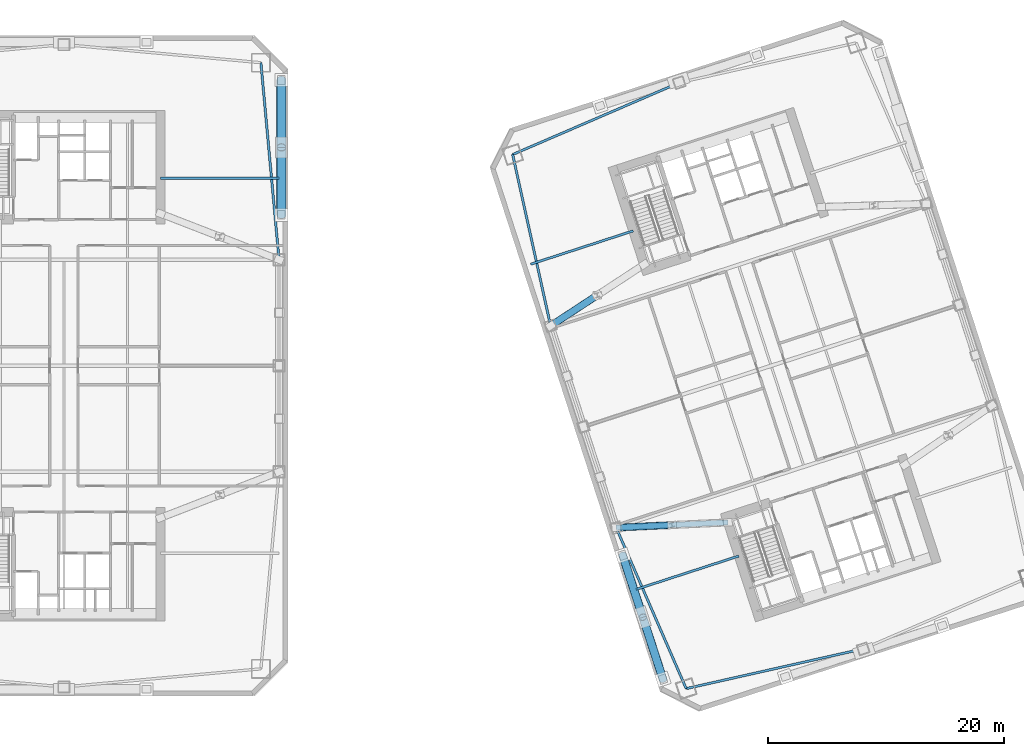
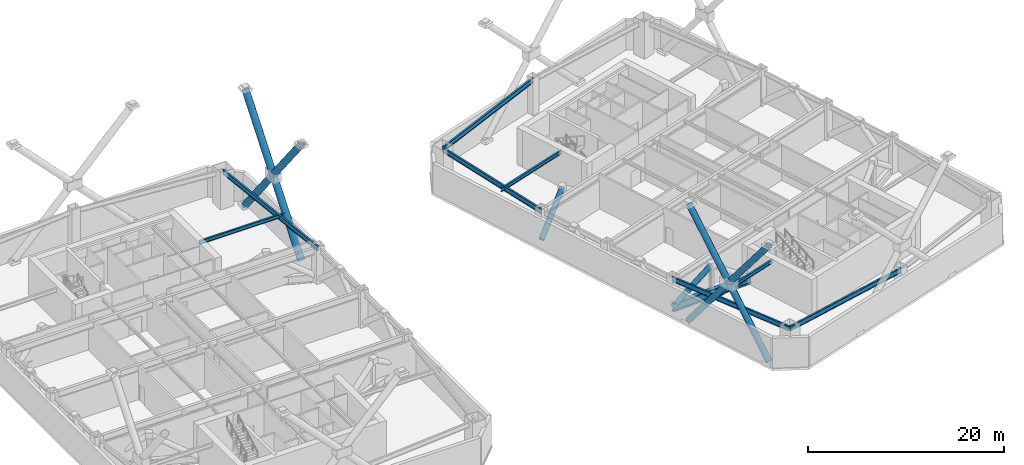
# One storey, part 6 of 19: 10 members, 9 beams.
"""IFC4 building model written with IfcOpenShell, lengths in metres."""

from ifc_helpers import new_model, si_unit, direction, frame, origin, origin_2d, place, context, subcontext, project, spatial, hollow_circle, i_section, extrude, material, material_profile, profile_set, type_object, element, save


model = new_model("IFC4")

# Units and contexts
model_context = context("Model", 3, precision=1e-05, world=origin(), true_north=direction((0.0, 1.0)))
body_context = subcontext(model_context, "Body", "Model", "MODEL_VIEW")
ifc_project = project(units=[si_unit("LENGTHUNIT", "METRE"), si_unit("AREAUNIT", "SQUARE_METRE"), si_unit("VOLUMEUNIT", "CUBIC_METRE"), si_unit("PLANEANGLEUNIT", "RADIAN"), si_unit("MASSUNIT", "GRAM", prefix="KILO")], contexts=[model_context])

# Site, building, storey
site_placement = place(None, origin())
site = spatial("IfcSite", under=ifc_project, at=site_placement, CompositionType="ELEMENT")
building_placement = place(site_placement, origin())
building = spatial("IfcBuilding", under=site, at=building_placement, Name="Qiaolan Cultural Towers", CompositionType="ELEMENT")
storey_placement = place(building_placement, frame((0.0, 0.0, 92.0)))
storey = spatial("IfcBuildingStorey", under=building, at=storey_placement, Name="L23", CompositionType="ELEMENT", Elevation=92.0)

# Beams
ifc_material_1 = material(Name="Steel Q390GJB", Category="steel")
ifc_material_profile_1 = material_profile(ifc_material_1, i_section(OverallWidth=0.449951171875, OverallDepth=1.0, WebThickness=0.02392578125, FlangeThickness=0.0400390625, at=origin_2d()), Name="BH1000x450x24x40")
ifc_profile_set_1 = profile_set([ifc_material_profile_1], Name="Steel Q390GJB")
beam_type_1 = type_object("IfcBeamType", Name="BM-BH1000x450x24x40", PredefinedType="BEAM", material=ifc_profile_set_1)
beam_1_placement = place(storey_placement, frame((86.32568359375, 20.71435546875, 0.5), z_axis=(-0.99887424391, -0.047436745813, 0.0), x_axis=(0.047436745813, -0.99887424391, 0.0)))
element("IfcBeam", 1, at=beam_1_placement, inside=storey, type_object=beam_type_1, Name="L23 T2 Outrigger Bottom Chord Girder WS", PredefinedType="BEAM", context=body_context, shape_type="SweptSolid", body=[
    extrude(i_section(OverallWidth=0.449951171875, OverallDepth=1.0, WebThickness=0.02392578125, FlangeThickness=0.0400390625, at=origin_2d()), origin(), (0.0, 0.0, 1.0), 9.4853515625),
])
ifc_material_2 = material(Name="Steel Q355B", Category="steel")
ifc_material_profile_2 = material_profile(ifc_material_2, i_section(OverallWidth=0.199951171875, OverallDepth=0.449951171875, WebThickness=0.009033203125, FlangeThickness=0.013916015625, at=origin_2d()), Name="HN450x200x9x14")
ifc_profile_set_2 = profile_set([ifc_material_profile_2], Name="Steel Q355B")
beam_type_2 = type_object("IfcBeamType", Name="BM-LNT-HN450x200x9x14", PredefinedType="LINTEL", material=ifc_profile_set_2)
beam_2_placement = place(storey_placement, frame((38.199951171875, 49.89990234375, 4.114990234375), z_axis=(1.0, 0.0, 0.0), x_axis=(0.0, 1.0, 0.0)))
element("IfcBeam", 2, at=beam_2_placement, inside=storey, type_object=beam_type_2, Name="L23 T1 Core Flank Tie Lintel EN", PredefinedType="LINTEL", context=body_context, shape_type="SweptSolid", body=[
    extrude(i_section(OverallWidth=0.199951171875, OverallDepth=0.449951171875, WebThickness=0.009033203125, FlangeThickness=0.013916015625, at=origin_2d()), origin(), (0.0, 0.0, 1.0), 10.050048828125),
])
for number, where, z_axis, x_axis, name in (
    (3, (87.252685546875, 17.861083984375, 4.114990234375), (-0.951059948176, -0.309006431933, 0.0), (0.309006431933, -0.951059948176, 0.0), "L23 T2 Core Flank Tie Lintel WS"),
    (4, (78.291259765625, 45.44189453125, 4.114990234375), (-0.951052106475, -0.309030566076, 0.0), (0.309030566076, -0.951052106475, 0.0), "L23 T2 Core Flank Tie Lintel WN"),
):
    element("IfcBeam", number, at=place(storey_placement, frame(where, z_axis=z_axis, x_axis=x_axis)), inside=storey, type_object=beam_type_2, Name=name, PredefinedType="LINTEL", context=body_context, shape_type="SweptSolid", body=[
        extrude(i_section(OverallWidth=0.199951171875, OverallDepth=0.449951171875, WebThickness=0.009033203125, FlangeThickness=0.013916015625, at=origin_2d()), origin(), (0.0, 0.0, 1.0), 9.14990234375),
    ])
ifc_material_3 = material(Name="Steel Q355B", Category="steel")
ifc_material_profile_3 = material_profile(ifc_material_3, i_section(OverallWidth=0.199951171875, OverallDepth=0.60009765625, WebThickness=0.010986328125, FlangeThickness=0.01708984375, at=origin_2d()), Name="HN600x200x11x17")
ifc_profile_set_3 = profile_set([ifc_material_profile_3], Name="Steel Q355B")
beam_type_3 = type_object("IfcBeamType", Name="BM-SPD-HN600x200x11x17", PredefinedType="SPANDREL", material=ifc_profile_set_3)
beam_3_placement = place(storey_placement, frame((48.25, 43.0, 4.0400390625), z_axis=(-0.09177399582, 0.995779862064, 0.0), x_axis=(-0.995779862064, -0.09177399582, 0.0)))
element("IfcBeam", 5, at=beam_3_placement, inside=storey, type_object=beam_type_3, Name="L23 T1 Perimeter Spandrel Beam 6", PredefinedType="SPANDREL", context=body_context, shape_type="SweptSolid", body=[
    extrude(i_section(OverallWidth=0.199951171875, OverallDepth=0.60009765625, WebThickness=0.010986328125, FlangeThickness=0.01708984375, at=origin_2d()), origin(), (0.0, 0.0, 1.0), 16.78076171875),
])
beam_4_placement = place(storey_placement, frame((82.79052734375, 6.611572265625, 4.0400390625), z_axis=(0.975658154374, 0.219296980836, 0.0), x_axis=(-0.219296980836, 0.975658154374, 0.0)))
element("IfcBeam", 6, at=beam_4_placement, inside=storey, type_object=beam_type_3, Name="L23 T2 Perimeter Spandrel Beam 1", PredefinedType="SPANDREL", context=body_context, shape_type="SweptSolid", body=[
    extrude(i_section(OverallWidth=0.199951171875, OverallDepth=0.60009765625, WebThickness=0.010986328125, FlangeThickness=0.01708984375, at=origin_2d()), origin(), (0.0, 0.0, 1.0), 15.38671875),
])
beam_5_placement = place(storey_placement, frame((82.197265625, 58.01416015625, 4.0400390625), z_axis=(-0.918217549337, -0.396076422032, 0.0), x_axis=(0.396076422032, -0.918217549337, 0.0)))
element("IfcBeam", 7, at=beam_5_placement, inside=storey, type_object=beam_type_3, Name="L23 T2 Perimeter Spandrel Beam 8", PredefinedType="SPANDREL", context=body_context, shape_type="SweptSolid", body=[
    extrude(i_section(OverallWidth=0.199951171875, OverallDepth=0.60009765625, WebThickness=0.010986328125, FlangeThickness=0.01708984375, at=origin_2d()), origin(), (0.0, 0.0, 1.0), 15.386474609375),
])
beam_6_placement = place(storey_placement, frame((68.069091796875, 51.919921875, 4.0400390625), z_axis=(0.216237644833, -0.976340760676, 0.0), x_axis=(0.976340760676, 0.216237644833, 0.0)))
element("IfcBeam", 8, at=beam_6_placement, inside=storey, type_object=beam_type_3, Name="L23 T2 Perimeter Spandrel Beam 9", PredefinedType="SPANDREL", context=body_context, shape_type="SweptSolid", body=[
    extrude(i_section(OverallWidth=0.199951171875, OverallDepth=0.60009765625, WebThickness=0.010986328125, FlangeThickness=0.01708984375, at=origin_2d()), origin(), (0.0, 0.0, 1.0), 14.888671875),
])
beam_7_placement = place(storey_placement, frame((76.85107421875, 20.264404296875, 4.0400390625), z_axis=(0.398920370799, -0.916985571185, 0.0), x_axis=(0.916985571185, 0.398920370799, 0.0)))
element("IfcBeam", 9, at=beam_7_placement, inside=storey, type_object=beam_type_3, Name="L23 T2 Perimeter Spandrel Beam 12", PredefinedType="SPANDREL", context=body_context, shape_type="SweptSolid", body=[
    extrude(i_section(OverallWidth=0.199951171875, OverallDepth=0.60009765625, WebThickness=0.010986328125, FlangeThickness=0.01708984375, at=origin_2d()), origin(), (0.0, 0.0, 1.0), 14.888916015625),
])

# Members
ifc_material_4 = material(Name="Steel Q355B", Category="steel")
ifc_material_profile_4 = material_profile(ifc_material_4, hollow_circle(Radius=0.300048828125, WallThickness=0.030029296875, at=origin_2d()), Name="CHS600x30")
ifc_profile_set_4 = profile_set([ifc_material_profile_4], Name="Steel Q355B")
member_type_1 = type_object("IfcMemberType", Name="MBR-BRC-CHS600x30", PredefinedType="BRACE", material=ifc_profile_set_4)
for number, where, z_axis, x_axis, name in (
    (10, (81.58837890625, 20.489501953125, 4.02001953125), (-0.802089390969, -0.038112060321, -0.595986643939), (0.047462426722, -0.998873023987, 0.0), "L23 T2 Outrigger Truss Diagonal WS-2"),
    (11, (75.25341796875, 39.986083984375, 4.02001953125), (-0.671296835396, -0.440641888259, -0.595982621474), (0.548746391552, -0.835988874184, 0.0), "L23 T2 Outrigger Truss Diagonal WN-2"),
):
    element("IfcMember", number, at=place(storey_placement, frame(where, z_axis=z_axis, x_axis=x_axis)), inside=storey, type_object=member_type_1, Name=name, PredefinedType="BRACE", context=body_context, shape_type="SweptSolid", body=[
        extrude(hollow_circle(Radius=0.300048828125, WallThickness=0.030029296875, at=origin_2d()), origin(), (0.0, 0.0, 1.0), 5.90625),
    ])
ifc_material_5 = material(Name="Steel Q355B", Category="steel")
ifc_material_profile_5 = material_profile(ifc_material_5, hollow_circle(Radius=0.35009765625, WallThickness=0.034912109375, at=origin_2d()), Name="CHS700x35")
ifc_profile_set_5 = profile_set([ifc_material_profile_5], Name="Steel Q355B")
member_type_2 = type_object("IfcMemberType", Name="MBR-BRC-CHS700x35", PredefinedType="BRACE", material=ifc_profile_set_5)
for number, where, z_axis, x_axis, name in (
    (12, (80.817138671875, 7.410888671875, 0.14990234375), (-0.18732381669, 0.576461324937, 0.795362891109), (-0.951046732174, -0.309047105182, 0.0), "T2 WEST Perimeter Frame Diagonal E-Z2-M2-D1A"),
    (13, (79.109619140625, 12.66552734375, 7.39990234375), (-0.187297972831, 0.576464216967, 0.795366881338), (-0.951059719012, -0.309007137251, 0.0), "T2 WEST Perimeter Frame Diagonal E-Z2-M2-D1B"),
    (14, (77.40234375, 17.920166015625, 0.14990234375), (0.187297972831, -0.576464216967, 0.795366881338), (0.951059719012, 0.309007137251, 0.0), "T2 WEST Perimeter Frame Diagonal E-Z2-M2-D2A"),
    (15, (79.109619140625, 12.66552734375, 7.39990234375), (0.18732381669, -0.576461324937, 0.795362891109), (0.951046732174, 0.309047105182, 0.0), "T2 WEST Perimeter Frame Diagonal E-Z2-M2-D2B"),
):
    element("IfcMember", number, at=place(storey_placement, frame(where, z_axis=z_axis, x_axis=x_axis)), inside=storey, type_object=member_type_2, Name=name, PredefinedType="BRACE", context=body_context, shape_type="SweptSolid", body=[
        extrude(hollow_circle(Radius=0.35009765625, WallThickness=0.034912109375, at=origin_2d()), origin(), (0.0, 0.0, 1.0), 9.115234375),
    ])
ifc_material_6 = material(Name="Steel Q390GJB", Category="steel")
ifc_material_profile_6 = material_profile(ifc_material_6, hollow_circle(Radius=0.39990234375, WallThickness=0.0400390625, at=origin_2d()), Name="CHS800x40")
ifc_profile_set_6 = profile_set([ifc_material_profile_6], Name="Steel Q390GJB")
member_type_3 = type_object("IfcMemberType", Name="MBR-BRC-CHS800x40", PredefinedType="BRACE", material=ifc_profile_set_6)
member_1_placement = place(storey_placement, frame((48.449951171875, 46.800048828125, 0.14990234375), z_axis=(0.0, 0.619722263172, 0.784821200356), x_axis=(-1.0, 0.0, 0.0)))
element("IfcMember", 16, at=member_1_placement, inside=storey, type_object=member_type_3, Name="T1 EAST Perimeter Frame Diagonal W-Z2-M1-D1A", PredefinedType="BRACE", context=body_context, shape_type="SweptSolid", body=[
    extrude(hollow_circle(Radius=0.39990234375, WallThickness=0.0400390625, at=origin_2d()), origin(), (0.0, 0.0, 1.0), 9.23779296875),
])
for number, where, z_axis, x_axis, name in (
    (17, (48.449951171875, 52.52490234375, 7.39990234375), (0.0, 0.619738541266, 0.78480834633), (-1.0, 0.0, 0.0), "T1 EAST Perimeter Frame Diagonal W-Z2-M1-D1B"),
    (18, (48.449951171875, 58.25, 0.14990234375), (0.0, -0.619738541266, 0.78480834633), (1.0, 0.0, 0.0), "T1 EAST Perimeter Frame Diagonal W-Z2-M1-D2A"),
):
    element("IfcMember", number, at=place(storey_placement, frame(where, z_axis=z_axis, x_axis=x_axis)), inside=storey, type_object=member_type_3, Name=name, PredefinedType="BRACE", context=body_context, shape_type="SweptSolid", body=[
        extrude(hollow_circle(Radius=0.39990234375, WallThickness=0.0400390625, at=origin_2d()), origin(), (0.0, 0.0, 1.0), 9.238037109375),
    ])
member_2_placement = place(storey_placement, frame((48.449951171875, 52.52490234375, 7.39990234375), z_axis=(0.0, -0.619722263172, 0.784821200356), x_axis=(1.0, 0.0, 0.0)))
element("IfcMember", 19, at=member_2_placement, inside=storey, type_object=member_type_3, Name="T1 EAST Perimeter Frame Diagonal W-Z2-M1-D2B", PredefinedType="BRACE", context=body_context, shape_type="SweptSolid", body=[
    extrude(hollow_circle(Radius=0.39990234375, WallThickness=0.0400390625, at=origin_2d()), origin(), (0.0, 0.0, 1.0), 9.23779296875),
])

save(model, "model.ifc")
